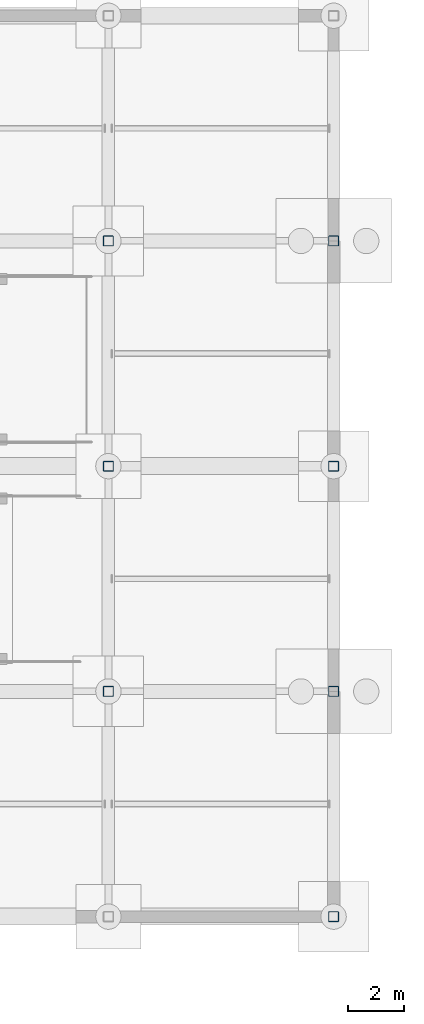
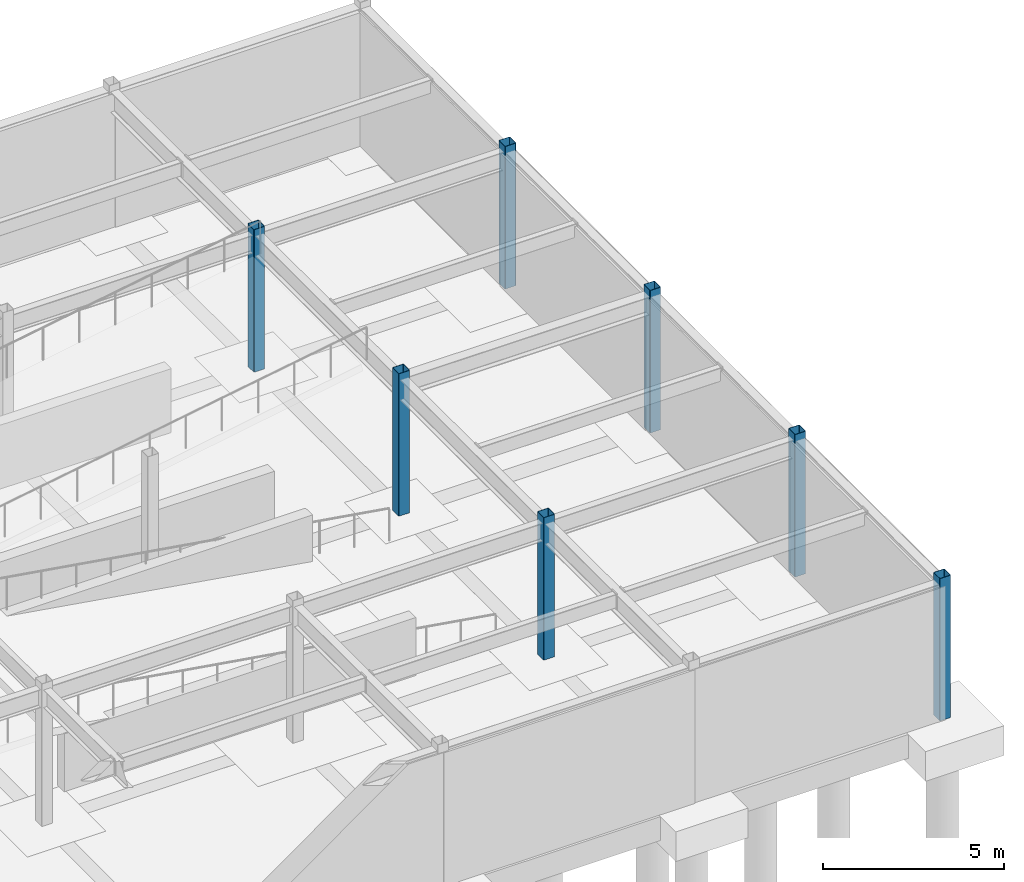
# One storey, part 36 of 105: 7 columns.
"""IFC4 building model written with IfcOpenShell, lengths in metres."""

from ifc_helpers import new_model, si_unit, direction, frame, origin, origin_2d, place, context, subcontext, project, spatial, hollow_rectangle, extrude, material, material_profile, profile_set, type_object, element, save


model = new_model("IFC4")

# Units and contexts
model_context = context("Model", 3, precision=1e-05, world=origin(), true_north=direction((0.0, 1.0)))
body_context = subcontext(model_context, "Body", "Model", "MODEL_VIEW")
ifc_project = project(units=[si_unit("LENGTHUNIT", "METRE"), si_unit("AREAUNIT", "SQUARE_METRE"), si_unit("VOLUMEUNIT", "CUBIC_METRE"), si_unit("PLANEANGLEUNIT", "RADIAN"), si_unit("MASSUNIT", "GRAM", prefix="KILO")], contexts=[model_context])

# Site, building, storey
site_placement = place(None, origin())
site = spatial("IfcSite", under=ifc_project, at=site_placement, CompositionType="ELEMENT")
building_placement = place(site_placement, origin())
building = spatial("IfcBuilding", under=site, at=building_placement, Name="Solmirada Galleria", CompositionType="ELEMENT")
storey_placement = place(building_placement, frame((0.0, 0.0, -4.800048828125)))
storey = spatial("IfcBuildingStorey", under=building, at=storey_placement, Name="B1", CompositionType="ELEMENT", Elevation=-4.800048828125)

# Columns
ifc_material = material(Name="Steel S355 / ASTM A500 Grade C", Category="steel")
ifc_material_profile = material_profile(ifc_material, hollow_rectangle(XDim=0.35595703125, YDim=0.35595703125, WallThickness=0.01171875, InnerFilletRadius=0.01171875, OuterFilletRadius=0.023681640625, at=origin_2d()), Name="HSS14X14X1/2")
ifc_profile_set = profile_set([ifc_material_profile], Name="Steel S355 / ASTM A500 Grade C")
column_type = type_object("IfcColumnType", Name="COL-HSS14", PredefinedType="COLUMN", material=ifc_profile_set)
for number, where, z_axis, x_axis, name in (
    (1, (168.0, 8.0, 0.0), (0.0, 0.0, 1.0), (1.0, 0.0, 0.0), "Structural column B1-1441"),
    (2, (168.0, 16.0, 0.0), (0.0, 0.0, 1.0), (1.0, 0.0, 0.0), "Structural column B1-1445"),
    (3, (168.0, 24.0, 0.0), (0.0, 0.0, 1.0), (1.0, 0.0, 0.0), "Structural column B1-1449"),
    (4, (176.0, 0.0, 0.0), (0.0, 0.0, 1.0), (1.0, 0.0, 0.0), "Structural column B1-1510"),
    (5, (176.0, 8.0, 0.0), (0.0, 0.0, 1.0), (1.0, 0.0, 0.0), "Structural column B1-1514"),
    (6, (176.0, 16.0, 0.0), (0.0, 0.0, 1.0), (1.0, 0.0, 0.0), "Structural column B1-1518"),
    (7, (176.0, 24.0, 0.0), (0.0, 0.0, 1.0), (1.0, 0.0, 0.0), "Structural column B1-1522"),
):
    element("IfcColumn", number, at=place(storey_placement, frame(where, z_axis=z_axis, x_axis=x_axis)), inside=storey, type_object=column_type, Name=name, PredefinedType="COLUMN", context=body_context, shape_type="SweptSolid", body=[
        extrude(hollow_rectangle(XDim=0.35595703125, YDim=0.35595703125, WallThickness=0.01171875, InnerFilletRadius=0.01171875, OuterFilletRadius=0.023681640625, at=origin_2d()), origin(), (0.0, 0.0, 1.0), 4.800048828125),
    ])

save(model, "model.ifc")
